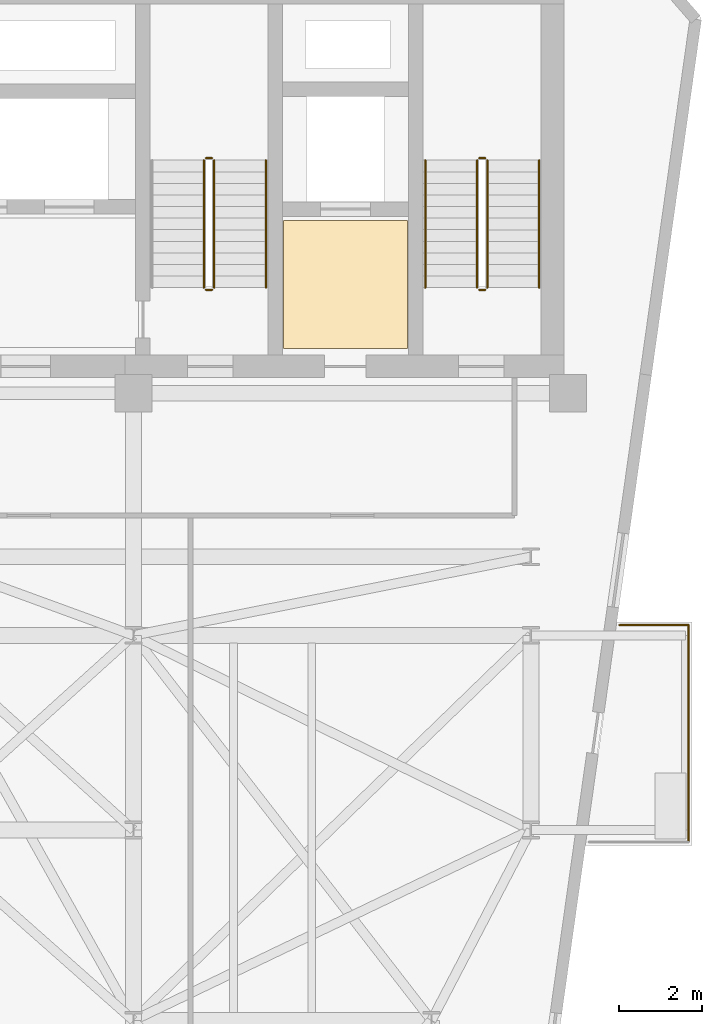
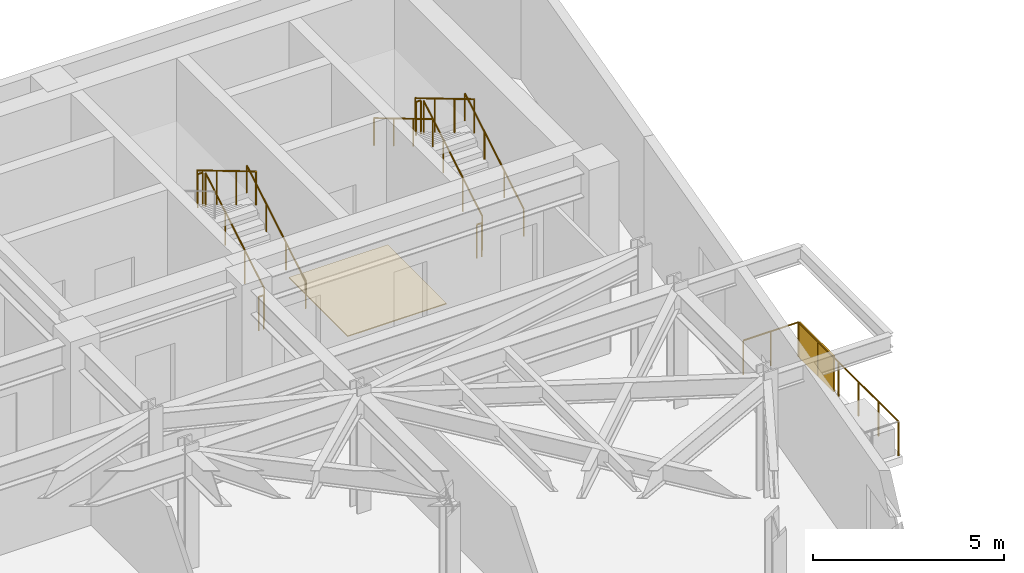
# One storey, part 27 of 27: 13 railings, 1 covering, 1 shading device.
"""IFC4 building model written with IfcOpenShell, lengths in metres."""

from ifc_helpers import new_model, si_unit, direction, frame, origin, origin_2d, place, context, subcontext, project, spatial, polyline, rectangle, circle, outline, extrude, material, layer, layer_set, type_object, element, save


model = new_model("IFC4")

# Units and contexts
model_context = context("Model", 3, precision=1e-05, world=origin(), true_north=direction((0.0, 1.0)))
body_context = subcontext(model_context, "Body", "Model", "MODEL_VIEW")
ifc_project = project(units=[si_unit("LENGTHUNIT", "METRE"), si_unit("AREAUNIT", "SQUARE_METRE"), si_unit("VOLUMEUNIT", "CUBIC_METRE"), si_unit("PLANEANGLEUNIT", "RADIAN"), si_unit("MASSUNIT", "GRAM", prefix="KILO")], contexts=[model_context])

# Site, building, storey
site_placement = place(None, origin())
site = spatial("IfcSite", under=ifc_project, at=site_placement, CompositionType="ELEMENT")
building_placement = place(site_placement, origin())
building = spatial("IfcBuilding", under=site, at=building_placement, Name="Kravanh Interchange Tower", CompositionType="ELEMENT")
storey_placement = place(building_placement, frame((0.0, 0.0, 188.5)))
storey = spatial("IfcBuildingStorey", under=building, at=storey_placement, Name="L45", CompositionType="ELEMENT", Elevation=188.5)

# Covering
ifc_material_1 = material(Name="Cementitious Terrazzo Tile")
ifc_layer_1 = layer(ifc_material_1, 0.030029296875)
ifc_layer_set_1 = layer_set([ifc_layer_1], Name="Honed Terrazzo Lobby Flooring 30mm")
covering_type = type_object("IfcCoveringType", Name="Honed Terrazzo Lobby Flooring 30mm", PredefinedType="FLOORING", material=ifc_layer_set_1)
covering_placement = place(storey_placement, origin())
element("IfcCovering", 1, at=covering_placement, inside=storey, type_object=covering_type, Name="L45 Service Lift Lobby Floor Finish", PredefinedType="FLOORING", context=body_context, shape_type="SweptSolid", body=[
    extrude(outline(polyline([(59.6298828125, 41.52001953125), (62.6201171875, 41.52001953125), (62.6201171875, 38.429931640625), (59.6298828125, 38.429931640625), (59.6298828125, 41.52001953125)])), origin(), (0.0, 0.0, 1.0), 0.030029296875),
])

# Shading device
ifc_material_2 = material(Name="Perforated Anodised Bronze Aluminium", Category="aluminium")
ifc_layer_2 = layer(ifc_material_2, 0.0400390625)
ifc_layer_set_2 = layer_set([ifc_layer_2], Name="Perforated Bronze Balcony Privacy Screen 1150mm")
shading_device_type = type_object("IfcShadingDeviceType", Name="Perforated Bronze Balcony Privacy Screen 1150mm", PredefinedType="USERDEFINED", material=ifc_layer_set_2)
shading_device_placement = place(storey_placement, frame((69.409912109375, 30.780029296875, 0.0), z_axis=(0.0, 0.0, 1.0), x_axis=(1.0, 0.0, 0.0)))
element("IfcShadingDevice", 2, at=shading_device_placement, inside=storey, type_object=shading_device_type, Name="L45 E Perforated Bronze BALCONY SCREEN", ObjectType="SCREEN", PredefinedType="USERDEFINED", context=body_context, shape_type="SweptSolid", body=[
    extrude(rectangle(XDim=0.0400390625, YDim=1.800048828125, at=origin_2d()), origin(), (0.0, 0.0, 1.0), 1.14990234375),
])

# Railings
ifc_material_3 = material(Name="Stainless Steel 316", Category="steel")
ifc_layer_3 = layer(ifc_material_3, 0.06005859375)
ifc_layer_set_3 = layer_set([ifc_layer_3], Name="Perimeter Balcony and Terrace Guardrail Stainless 316 1120mm")
railing_type_1 = type_object("IfcRailingType", Name="Perimeter Balcony and Terrace Guardrail Stainless 316 1120mm", PredefinedType="GUARDRAIL", material=ifc_layer_set_3)
railing_1_placement = place(storey_placement, frame((69.409912109375, 31.75, 0.0)))
element("IfcRailing", 3, at=railing_1_placement, inside=storey, type_object=railing_type_1, Name="L45 E Balcony Guardrail 1", PredefinedType="GUARDRAIL", context=body_context, shape_type="SweptSolid", body=[
    extrude(circle(Radius=0.02392578125, at=origin_2d()), frame((0.0, 0.0, 1.09619140625), z_axis=(0.0, -1.0, 0.0), x_axis=(1.0, 0.0, 0.0)), (0.0, 0.0, 1.0), 5.239990234375),
    extrude(circle(Radius=0.02099609375, at=origin_2d()), origin(), (0.0, 0.0, 1.0), 1.072021484375),
    extrude(circle(Radius=0.02099609375, at=origin_2d()), frame((0.0, -1.048095703125, 0.0)), (0.0, 0.0, 1.0), 1.072021484375),
    extrude(circle(Radius=0.02099609375, at=origin_2d()), frame((0.0, -2.095947265625, 0.0)), (0.0, 0.0, 1.0), 1.072021484375),
    extrude(circle(Radius=0.02099609375, at=origin_2d()), frame((0.0, -3.14404296875, 0.0)), (0.0, 0.0, 1.0), 1.072021484375),
    extrude(circle(Radius=0.02099609375, at=origin_2d()), frame((0.0, -4.19189453125, 0.0)), (0.0, 0.0, 1.0), 1.072021484375),
    extrude(circle(Radius=0.02099609375, at=origin_2d()), frame((0.0, -5.239990234375, 0.0)), (0.0, 0.0, 1.0), 1.072021484375),
])
railing_2_placement = place(storey_placement, frame((67.74169921875, 31.75, 0.0)))
element("IfcRailing", 4, at=railing_2_placement, inside=storey, type_object=railing_type_1, Name="L45 E Balcony Guardrail 3", PredefinedType="GUARDRAIL", context=body_context, shape_type="SweptSolid", body=[
    extrude(circle(Radius=0.02392578125, at=origin_2d()), frame((0.0, 0.0, 1.09619140625), z_axis=(1.0, 0.0, 0.0), x_axis=(0.0, 1.0, 0.0)), (0.0, 0.0, 1.0), 1.668212890625),
    extrude(circle(Radius=0.02099609375, at=origin_2d()), origin(), (0.0, 0.0, 1.0), 1.072021484375),
    extrude(circle(Radius=0.02099609375, at=origin_2d()), frame((0.833984375, 0.0, 0.0)), (0.0, 0.0, 1.0), 1.072021484375),
    extrude(circle(Radius=0.02099609375, at=origin_2d()), frame((1.668212890625, 0.0, 0.0)), (0.0, 0.0, 1.0), 1.072021484375),
])
ifc_material_4 = material(Name="Structural Steel S355", Category="steel")
ifc_layer_4 = layer(ifc_material_4, 0.050048828125)
ifc_layer_set_4 = layer_set([ifc_layer_4], Name="Stair Well Guardrail Structural Steel S355 1100mm")
railing_type_2 = type_object("IfcRailingType", Name="Stair Well Guardrail Structural Steel S355 1100mm", PredefinedType="GUARDRAIL", material=ifc_layer_set_4)
railing_3_placement = place(storey_placement, frame((64.550048828125, 39.89990234375, 0.166748046875)))
element("IfcRailing", 5, at=railing_3_placement, inside=storey, type_object=railing_type_2, Name="L45 ST1 stair guard 1", PredefinedType="GUARDRAIL", context=body_context, shape_type="SweptSolid", body=[
    extrude(circle(Radius=0.02392578125, at=origin_2d()), frame((0.0, 0.0, 1.076171875), z_axis=(0.0, 0.859308565015, 0.511457515432), x_axis=(-1.0, 0.0, 0.0)), (0.0, 0.0, 1.0), 3.58447265625),
    extrude(circle(Radius=0.02099609375, at=origin_2d()), origin(), (0.0, 0.0, 1.0), 1.052001953125),
    extrude(circle(Radius=0.02099609375, at=origin_2d()), frame((0.0, 1.026611328125, 0.611083984375)), (0.0, 0.0, 1.0), 1.052001953125),
    extrude(circle(Radius=0.02099609375, at=origin_2d()), frame((0.0, 2.053466796875, 1.22216796875)), (0.0, 0.0, 1.0), 1.052001953125),
    extrude(circle(Radius=0.02099609375, at=origin_2d()), frame((0.0, 3.080078125, 1.833251953125)), (0.0, 0.0, 1.0), 1.052001953125),
])
railing_4_placement = place(storey_placement, frame((64.5, 43.030029296875, 2.0)))
element("IfcRailing", 6, at=railing_4_placement, inside=storey, type_object=railing_type_2, Name="L45 ST1 stair guard 2", PredefinedType="GUARDRAIL", context=body_context, shape_type="SweptSolid", body=[
    extrude(circle(Radius=0.02392578125, at=origin_2d()), frame((0.0, 0.0, 1.076171875), z_axis=(-1.0, 0.0, 0.0), x_axis=(0.0, -1.0, 0.0)), (0.0, 0.0, 1.0), 0.14990234375),
    extrude(circle(Radius=0.02099609375, at=origin_2d()), origin(), (0.0, 0.0, 1.0), 1.052001953125),
    extrude(circle(Radius=0.02099609375, at=origin_2d()), frame((-0.14990234375, 0.0, 0.0)), (0.0, 0.0, 1.0), 1.052001953125),
])
railing_5_placement = place(storey_placement, frame((64.300048828125, 42.97998046875, 2.166748046875)))
element("IfcRailing", 7, at=railing_5_placement, inside=storey, type_object=railing_type_2, Name="L45 ST1 stair guard 3", PredefinedType="GUARDRAIL", context=body_context, shape_type="SweptSolid", body=[
    extrude(circle(Radius=0.02392578125, at=origin_2d()), frame((0.0, 0.0, 1.076171875), z_axis=(0.0, -0.859308565015, 0.511457515432), x_axis=(1.0, 0.0, 0.0)), (0.0, 0.0, 1.0), 3.58447265625),
    extrude(circle(Radius=0.02099609375, at=origin_2d()), origin(), (0.0, 0.0, 1.0), 1.052001953125),
    extrude(circle(Radius=0.02099609375, at=origin_2d()), frame((0.0, -1.026611328125, 0.611083984375)), (0.0, 0.0, 1.0), 1.052001953125),
    extrude(circle(Radius=0.02099609375, at=origin_2d()), frame((0.0, -2.053466796875, 1.22216796875)), (0.0, 0.0, 1.0), 1.052001953125),
    extrude(circle(Radius=0.02099609375, at=origin_2d()), frame((0.0, -3.080078125, 1.833251953125)), (0.0, 0.0, 1.0), 1.052001953125),
])
railing_6_placement = place(storey_placement, frame((64.5, 39.85009765625, 0.0)))
element("IfcRailing", 8, at=railing_6_placement, inside=storey, type_object=railing_type_2, Name="L45 ST1 stair guard 4", PredefinedType="GUARDRAIL", context=body_context, shape_type="SweptSolid", body=[
    extrude(circle(Radius=0.02392578125, at=origin_2d()), frame((0.0, 0.0, 1.076171875), z_axis=(-1.0, 0.0, 0.0), x_axis=(0.0, -1.0, 0.0)), (0.0, 0.0, 1.0), 0.14990234375),
    extrude(circle(Radius=0.02099609375, at=origin_2d()), origin(), (0.0, 0.0, 1.0), 1.052001953125),
    extrude(circle(Radius=0.02099609375, at=origin_2d()), frame((-0.14990234375, 0.0, 0.0)), (0.0, 0.0, 1.0), 1.052001953125),
])
railing_7_placement = place(storey_placement, frame((57.949951171875, 39.89990234375, 0.166748046875)))
element("IfcRailing", 9, at=railing_7_placement, inside=storey, type_object=railing_type_2, Name="L45 ST2 stair guard 1", PredefinedType="GUARDRAIL", context=body_context, shape_type="SweptSolid", body=[
    extrude(circle(Radius=0.02392578125, at=origin_2d()), frame((0.0, 0.0, 1.076171875), z_axis=(0.0, 0.859308565015, 0.511457515432), x_axis=(-1.0, 0.0, 0.0)), (0.0, 0.0, 1.0), 3.58447265625),
    extrude(circle(Radius=0.02099609375, at=origin_2d()), origin(), (0.0, 0.0, 1.0), 1.052001953125),
    extrude(circle(Radius=0.02099609375, at=origin_2d()), frame((0.0, 1.026611328125, 0.611083984375)), (0.0, 0.0, 1.0), 1.052001953125),
    extrude(circle(Radius=0.02099609375, at=origin_2d()), frame((0.0, 2.053466796875, 1.22216796875)), (0.0, 0.0, 1.0), 1.052001953125),
    extrude(circle(Radius=0.02099609375, at=origin_2d()), frame((0.0, 3.080078125, 1.833251953125)), (0.0, 0.0, 1.0), 1.052001953125),
])
railing_8_placement = place(storey_placement, frame((57.89990234375, 43.030029296875, 2.0)))
element("IfcRailing", 10, at=railing_8_placement, inside=storey, type_object=railing_type_2, Name="L45 ST2 stair guard 2", PredefinedType="GUARDRAIL", context=body_context, shape_type="SweptSolid", body=[
    extrude(circle(Radius=0.02392578125, at=origin_2d()), frame((0.0, 0.0, 1.076171875), z_axis=(-1.0, 0.0, 0.0), x_axis=(0.0, -1.0, 0.0)), (0.0, 0.0, 1.0), 0.14990234375),
    extrude(circle(Radius=0.02099609375, at=origin_2d()), origin(), (0.0, 0.0, 1.0), 1.052001953125),
    extrude(circle(Radius=0.02099609375, at=origin_2d()), frame((-0.14990234375, 0.0, 0.0)), (0.0, 0.0, 1.0), 1.052001953125),
])
railing_9_placement = place(storey_placement, frame((57.699951171875, 42.97998046875, 2.166748046875)))
element("IfcRailing", 11, at=railing_9_placement, inside=storey, type_object=railing_type_2, Name="L45 ST2 stair guard 3", PredefinedType="GUARDRAIL", context=body_context, shape_type="SweptSolid", body=[
    extrude(circle(Radius=0.02392578125, at=origin_2d()), frame((0.0, 0.0, 1.076171875), z_axis=(0.0, -0.859308565015, 0.511457515432), x_axis=(1.0, 0.0, 0.0)), (0.0, 0.0, 1.0), 3.58447265625),
    extrude(circle(Radius=0.02099609375, at=origin_2d()), origin(), (0.0, 0.0, 1.0), 1.052001953125),
    extrude(circle(Radius=0.02099609375, at=origin_2d()), frame((0.0, -1.026611328125, 0.611083984375)), (0.0, 0.0, 1.0), 1.052001953125),
    extrude(circle(Radius=0.02099609375, at=origin_2d()), frame((0.0, -2.053466796875, 1.22216796875)), (0.0, 0.0, 1.0), 1.052001953125),
    extrude(circle(Radius=0.02099609375, at=origin_2d()), frame((0.0, -3.080078125, 1.833251953125)), (0.0, 0.0, 1.0), 1.052001953125),
])
railing_10_placement = place(storey_placement, frame((57.89990234375, 39.85009765625, 0.0)))
element("IfcRailing", 12, at=railing_10_placement, inside=storey, type_object=railing_type_2, Name="L45 ST2 stair guard 4", PredefinedType="GUARDRAIL", context=body_context, shape_type="SweptSolid", body=[
    extrude(circle(Radius=0.02392578125, at=origin_2d()), frame((0.0, 0.0, 1.076171875), z_axis=(-1.0, 0.0, 0.0), x_axis=(0.0, -1.0, 0.0)), (0.0, 0.0, 1.0), 0.14990234375),
    extrude(circle(Radius=0.02099609375, at=origin_2d()), origin(), (0.0, 0.0, 1.0), 1.052001953125),
    extrude(circle(Radius=0.02099609375, at=origin_2d()), frame((-0.14990234375, 0.0, 0.0)), (0.0, 0.0, 1.0), 1.052001953125),
])
ifc_material_5 = material(Name="Stainless Steel 304", Category="steel")
ifc_layer_5 = layer(ifc_material_5, 0.044921875)
ifc_layer_set_5 = layer_set([ifc_layer_5], Name="Tubular Stair Handrail Stainless 304 900mm")
railing_type_3 = type_object("IfcRailingType", Name="Tubular Stair Handrail Stainless 304 900mm", PredefinedType="HANDRAIL", material=ifc_layer_set_5)
railing_11_placement = place(storey_placement, frame((65.800048828125, 39.89990234375, 0.166748046875)))
element("IfcRailing", 13, at=railing_11_placement, inside=storey, type_object=railing_type_3, Name="L45 ST1 stair handrail 1", PredefinedType="HANDRAIL", context=body_context, shape_type="SweptSolid", body=[
    extrude(circle(Radius=0.02392578125, at=origin_2d()), frame((0.0, 0.0, 0.8759765625), z_axis=(0.0, 0.859308565015, 0.511457515432), x_axis=(-1.0, 0.0, 0.0)), (0.0, 0.0, 1.0), 3.58447265625),
    extrude(circle(Radius=0.02099609375, at=origin_2d()), origin(), (0.0, 0.0, 1.0), 0.851806640625),
    extrude(circle(Radius=0.02099609375, at=origin_2d()), frame((0.0, 1.026611328125, 0.611083984375)), (0.0, 0.0, 1.0), 0.851806640625),
    extrude(circle(Radius=0.02099609375, at=origin_2d()), frame((0.0, 2.053466796875, 1.22216796875)), (0.0, 0.0, 1.0), 0.851806640625),
    extrude(circle(Radius=0.02099609375, at=origin_2d()), frame((0.0, 3.080078125, 1.833251953125)), (0.0, 0.0, 1.0), 0.851806640625),
])
railing_12_placement = place(storey_placement, frame((63.050048828125, 42.97998046875, 2.166748046875)))
element("IfcRailing", 14, at=railing_12_placement, inside=storey, type_object=railing_type_3, Name="L45 ST1 stair handrail 2", PredefinedType="HANDRAIL", context=body_context, shape_type="SweptSolid", body=[
    extrude(circle(Radius=0.02392578125, at=origin_2d()), frame((0.0, 0.0, 0.8759765625), z_axis=(0.0, -0.859308565015, 0.511457515432), x_axis=(1.0, 0.0, 0.0)), (0.0, 0.0, 1.0), 3.58447265625),
    extrude(circle(Radius=0.02099609375, at=origin_2d()), origin(), (0.0, 0.0, 1.0), 0.851806640625),
    extrude(circle(Radius=0.02099609375, at=origin_2d()), frame((0.0, -1.026611328125, 0.611083984375)), (0.0, 0.0, 1.0), 0.851806640625),
    extrude(circle(Radius=0.02099609375, at=origin_2d()), frame((0.0, -2.053466796875, 1.22216796875)), (0.0, 0.0, 1.0), 0.851806640625),
    extrude(circle(Radius=0.02099609375, at=origin_2d()), frame((0.0, -3.080078125, 1.833251953125)), (0.0, 0.0, 1.0), 0.851806640625),
])
railing_13_placement = place(storey_placement, frame((59.199951171875, 39.89990234375, 0.166748046875)))
element("IfcRailing", 15, at=railing_13_placement, inside=storey, type_object=railing_type_3, Name="L45 ST2 stair handrail 1", PredefinedType="HANDRAIL", context=body_context, shape_type="SweptSolid", body=[
    extrude(circle(Radius=0.02392578125, at=origin_2d()), frame((0.0, 0.0, 0.8759765625), z_axis=(0.0, 0.859308565015, 0.511457515432), x_axis=(-1.0, 0.0, 0.0)), (0.0, 0.0, 1.0), 3.58447265625),
    extrude(circle(Radius=0.02099609375, at=origin_2d()), origin(), (0.0, 0.0, 1.0), 0.851806640625),
    extrude(circle(Radius=0.02099609375, at=origin_2d()), frame((0.0, 1.026611328125, 0.611083984375)), (0.0, 0.0, 1.0), 0.851806640625),
    extrude(circle(Radius=0.02099609375, at=origin_2d()), frame((0.0, 2.053466796875, 1.22216796875)), (0.0, 0.0, 1.0), 0.851806640625),
    extrude(circle(Radius=0.02099609375, at=origin_2d()), frame((0.0, 3.080078125, 1.833251953125)), (0.0, 0.0, 1.0), 0.851806640625),
])

save(model, "model.ifc")
